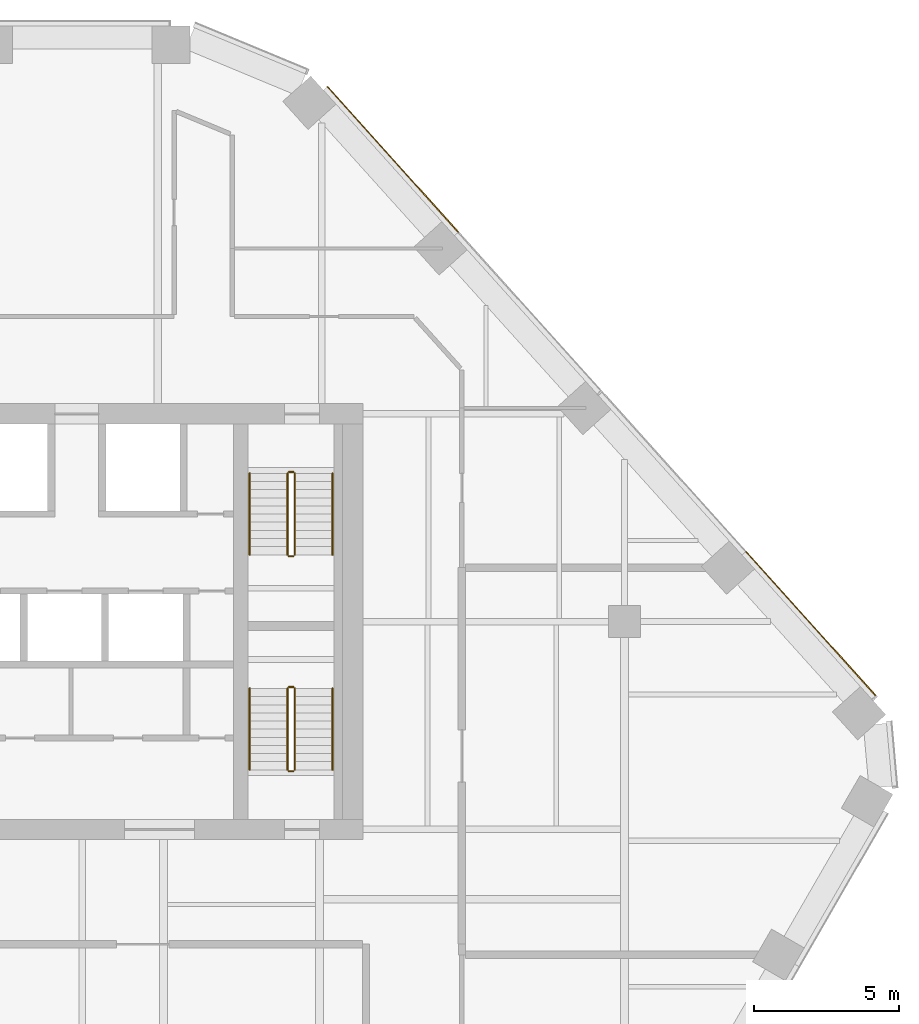
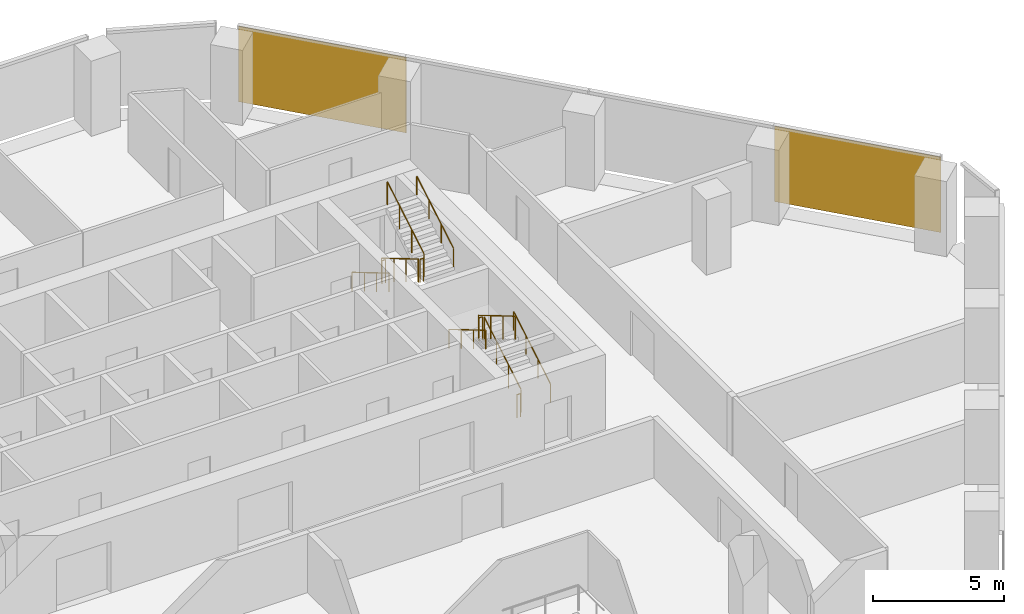
# One storey, part 16 of 16: 12 railings, 2 coverings, 1 element without a shape of its own.
"""IFC4 building model written with IfcOpenShell, lengths in metres."""

from ifc_helpers import new_model, si_unit, direction, frame, origin, origin_2d, place, context, subcontext, project, spatial, rectangle, circle, extrude, material, layer, layer_set, type_object, element, aggregate, save


model = new_model("IFC4")

# Units and contexts
model_context = context("Model", 3, precision=1e-05, world=origin(), true_north=direction((0.0, 1.0)))
body_context = subcontext(model_context, "Body", "Model", "MODEL_VIEW")
ifc_project = project(units=[si_unit("LENGTHUNIT", "METRE"), si_unit("AREAUNIT", "SQUARE_METRE"), si_unit("VOLUMEUNIT", "CUBIC_METRE"), si_unit("PLANEANGLEUNIT", "RADIAN"), si_unit("MASSUNIT", "GRAM", prefix="KILO")], contexts=[model_context])

# Site, building, storey
site_placement = place(None, origin())
site = spatial("IfcSite", under=ifc_project, at=site_placement, CompositionType="ELEMENT")
building_placement = place(site_placement, origin())
building = spatial("IfcBuilding", under=site, at=building_placement, Name="Isthmus Gate Tower", CompositionType="ELEMENT")
storey_placement = place(building_placement, frame((0.0, 0.0, 196.35009765625)))
storey = spatial("IfcBuildingStorey", under=building, at=storey_placement, Name="L49", CompositionType="ELEMENT", Elevation=196.35009765625)

# Curtain wall, coverings
ifc_material_1 = material(Name="Aluminium, pale champagne anodised", Category="aluminium")
ifc_layer_1 = layer(ifc_material_1, 0.199951171875)
ifc_layer_set_1 = layer_set([ifc_layer_1], Name="CW-1 UNITISED CURTAIN WALL 200 DEEP")
curtain_wall_type = type_object("IfcCurtainWallType", Name="CW-1 UNITISED CURTAIN WALL 200 DEEP", PredefinedType="NOTDEFINED", material=ifc_layer_set_1)
curtain_wall_placement = place(storey_placement, origin())
curtain_wall = element("IfcCurtainWall", 1, at=curtain_wall_placement, inside=storey, type_object=curtain_wall_type, Name="CW-1 NE L49", PredefinedType="NOTDEFINED")
ifc_material_2 = material(Name="Aluminium composite panel, pale champagne anodised", Category="aluminium")
ifc_layer_2 = layer(ifc_material_2, 0.035888671875)
ifc_layer_set_2 = layer_set([ifc_layer_2], Name="CW-1 PALE METAL PANEL 36")
covering_type = type_object("IfcCoveringType", Name="CW-1 PALE METAL PANEL 36", PredefinedType="CLADDING", material=ifc_layer_set_2)
covering_1_placement = place(storey_placement, frame((30.408447265625, 7.430908203125, 0.0), z_axis=(0.0, 0.0, 1.0), x_axis=(-0.669130606359, 0.743144825477, 0.0)))
covering_1 = element("IfcCovering", 2, at=covering_1_placement, type_object=covering_type, Name="CW-1 pale metal panel", PredefinedType="CLADDING", context=body_context, shape_type="SweptSolid", body=[
    extrude(rectangle(XDim=6.680908203125, YDim=0.035888671875, at=origin_2d()), origin(), (0.0, 0.0, 1.0), 3.510009765625),
])
covering_2_placement = place(storey_placement, frame((16.02734375, 23.40283203125, 0.0), z_axis=(0.0, 0.0, 1.0), x_axis=(-0.669130606359, 0.743144825477, 0.0)))
covering_2 = element("IfcCovering", 3, at=covering_2_placement, type_object=covering_type, Name="CW-1 pale metal panel", PredefinedType="CLADDING", context=body_context, shape_type="SweptSolid", body=[
    extrude(rectangle(XDim=6.74072265625, YDim=0.035888671875, at=origin_2d()), origin(), (0.0, 0.0, 1.0), 3.510009765625),
])
aggregate(curtain_wall, [covering_1, covering_2])

# Railings
ifc_material_3 = material(Name="Stainless steel balustrade", Category="steel")
railing_type_1 = type_object("IfcRailingType", Name="STAIR GUARD 1100", PredefinedType="GUARDRAIL", material=ifc_material_3)
railing_1_placement = place(storey_placement, frame((12.39990234375, 12.60009765625, 0.165771484375)))
element("IfcRailing", 4, at=railing_1_placement, inside=storey, type_object=railing_type_1, Name="L49 ST2 stair guard 1", PredefinedType="GUARDRAIL", context=body_context, shape_type="SweptSolid", body=[
    extrude(circle(Radius=0.02392578125, at=origin_2d()), frame((0.0, 0.0, 1.076171875), z_axis=(0.0, -0.860306154799, 0.50977771628), x_axis=(1.0, 0.0, 0.0)), (0.0, 0.0, 1.0), 3.254638671875),
    extrude(circle(Radius=0.02099609375, at=origin_2d()), origin(), (0.0, 0.0, 1.0), 1.052001953125),
    extrude(circle(Radius=0.02099609375, at=origin_2d()), frame((0.0, -0.933349609375, 0.552978515625)), (0.0, 0.0, 1.0), 1.052001953125),
    extrude(circle(Radius=0.02099609375, at=origin_2d()), frame((0.0, -1.86669921875, 1.106201171875)), (0.0, 0.0, 1.0), 1.052001953125),
    extrude(circle(Radius=0.02099609375, at=origin_2d()), frame((0.0, -2.800048828125, 1.6591796875)), (0.0, 0.0, 1.0), 1.052001953125),
])
railing_2_placement = place(storey_placement, frame((12.449951171875, 9.75, 1.824951171875)))
element("IfcRailing", 5, at=railing_2_placement, inside=storey, type_object=railing_type_1, Name="L49 ST2 stair guard 2", PredefinedType="GUARDRAIL", context=body_context, shape_type="SweptSolid", body=[
    extrude(circle(Radius=0.02392578125, at=origin_2d()), frame((0.0, 0.0, 1.076171875), z_axis=(1.0, 0.0, 0.0), x_axis=(0.0, 1.0, 0.0)), (0.0, 0.0, 1.0), 0.150146484375),
    extrude(circle(Radius=0.02099609375, at=origin_2d()), origin(), (0.0, 0.0, 1.0), 1.052001953125),
    extrude(circle(Radius=0.02099609375, at=origin_2d()), frame((0.150146484375, 0.0, 0.0)), (0.0, 0.0, 1.0), 1.052001953125),
])
railing_3_placement = place(storey_placement, frame((12.64990234375, 9.800048828125, 1.99072265625)))
element("IfcRailing", 6, at=railing_3_placement, inside=storey, type_object=railing_type_1, Name="L49 ST2 stair guard 3", PredefinedType="GUARDRAIL", context=body_context, shape_type="SweptSolid", body=[
    extrude(circle(Radius=0.02392578125, at=origin_2d()), frame((0.0, 0.0, 1.076171875), z_axis=(0.0, 0.860306154799, 0.50977771628), x_axis=(-1.0, 0.0, 0.0)), (0.0, 0.0, 1.0), 3.254638671875),
    extrude(circle(Radius=0.02099609375, at=origin_2d()), origin(), (0.0, 0.0, 1.0), 1.052001953125),
    extrude(circle(Radius=0.02099609375, at=origin_2d()), frame((0.0, 0.933349609375, 0.552978515625)), (0.0, 0.0, 1.0), 1.052001953125),
    extrude(circle(Radius=0.02099609375, at=origin_2d()), frame((0.0, 1.86669921875, 1.106201171875)), (0.0, 0.0, 1.0), 1.052001953125),
    extrude(circle(Radius=0.02099609375, at=origin_2d()), frame((0.0, 2.800048828125, 1.6591796875)), (0.0, 0.0, 1.0), 1.052001953125),
])
railing_4_placement = place(storey_placement, frame((12.449951171875, 12.64990234375, 0.0)))
element("IfcRailing", 7, at=railing_4_placement, inside=storey, type_object=railing_type_1, Name="L49 ST2 stair guard 4", PredefinedType="GUARDRAIL", context=body_context, shape_type="SweptSolid", body=[
    extrude(circle(Radius=0.02392578125, at=origin_2d()), frame((0.0, 0.0, 1.076171875), z_axis=(1.0, 0.0, 0.0), x_axis=(0.0, 1.0, 0.0)), (0.0, 0.0, 1.0), 0.150146484375),
    extrude(circle(Radius=0.02099609375, at=origin_2d()), origin(), (0.0, 0.0, 1.0), 1.052001953125),
    extrude(circle(Radius=0.02099609375, at=origin_2d()), frame((0.150146484375, 0.0, 0.0)), (0.0, 0.0, 1.0), 1.052001953125),
])
railing_5_placement = place(storey_placement, frame((12.64990234375, 2.39990234375, 0.165771484375)))
element("IfcRailing", 8, at=railing_5_placement, inside=storey, type_object=railing_type_1, Name="L49 ST8 stair guard 1", PredefinedType="GUARDRAIL", context=body_context, shape_type="SweptSolid", body=[
    extrude(circle(Radius=0.02392578125, at=origin_2d()), frame((0.0, 0.0, 1.076171875), z_axis=(0.0, 0.860306154799, 0.50977771628), x_axis=(-1.0, 0.0, 0.0)), (0.0, 0.0, 1.0), 3.254638671875),
    extrude(circle(Radius=0.02099609375, at=origin_2d()), origin(), (0.0, 0.0, 1.0), 1.052001953125),
    extrude(circle(Radius=0.02099609375, at=origin_2d()), frame((0.0, 0.933349609375, 0.552978515625)), (0.0, 0.0, 1.0), 1.052001953125),
    extrude(circle(Radius=0.02099609375, at=origin_2d()), frame((0.0, 1.86669921875, 1.106201171875)), (0.0, 0.0, 1.0), 1.052001953125),
    extrude(circle(Radius=0.02099609375, at=origin_2d()), frame((0.0, 2.800048828125, 1.6591796875)), (0.0, 0.0, 1.0), 1.052001953125),
])
railing_6_placement = place(storey_placement, frame((12.60009765625, 5.25, 1.824951171875)))
element("IfcRailing", 9, at=railing_6_placement, inside=storey, type_object=railing_type_1, Name="L49 ST8 stair guard 2", PredefinedType="GUARDRAIL", context=body_context, shape_type="SweptSolid", body=[
    extrude(circle(Radius=0.02392578125, at=origin_2d()), frame((0.0, 0.0, 1.076171875), z_axis=(-1.0, 0.0, 0.0), x_axis=(0.0, -1.0, 0.0)), (0.0, 0.0, 1.0), 0.150146484375),
    extrude(circle(Radius=0.02099609375, at=origin_2d()), origin(), (0.0, 0.0, 1.0), 1.052001953125),
    extrude(circle(Radius=0.02099609375, at=origin_2d()), frame((-0.150146484375, 0.0, 0.0)), (0.0, 0.0, 1.0), 1.052001953125),
])
railing_7_placement = place(storey_placement, frame((12.39990234375, 5.199951171875, 1.99072265625)))
element("IfcRailing", 10, at=railing_7_placement, inside=storey, type_object=railing_type_1, Name="L49 ST8 stair guard 3", PredefinedType="GUARDRAIL", context=body_context, shape_type="SweptSolid", body=[
    extrude(circle(Radius=0.02392578125, at=origin_2d()), frame((0.0, 0.0, 1.076171875), z_axis=(0.0, -0.860306154799, 0.50977771628), x_axis=(1.0, 0.0, 0.0)), (0.0, 0.0, 1.0), 3.254638671875),
    extrude(circle(Radius=0.02099609375, at=origin_2d()), origin(), (0.0, 0.0, 1.0), 1.052001953125),
    extrude(circle(Radius=0.02099609375, at=origin_2d()), frame((0.0, -0.933349609375, 0.552978515625)), (0.0, 0.0, 1.0), 1.052001953125),
    extrude(circle(Radius=0.02099609375, at=origin_2d()), frame((0.0, -1.86669921875, 1.106201171875)), (0.0, 0.0, 1.0), 1.052001953125),
    extrude(circle(Radius=0.02099609375, at=origin_2d()), frame((0.0, -2.800048828125, 1.6591796875)), (0.0, 0.0, 1.0), 1.052001953125),
])
railing_8_placement = place(storey_placement, frame((12.60009765625, 2.35009765625, 0.0)))
element("IfcRailing", 11, at=railing_8_placement, inside=storey, type_object=railing_type_1, Name="L49 ST8 stair guard 4", PredefinedType="GUARDRAIL", context=body_context, shape_type="SweptSolid", body=[
    extrude(circle(Radius=0.02392578125, at=origin_2d()), frame((0.0, 0.0, 1.076171875), z_axis=(-1.0, 0.0, 0.0), x_axis=(0.0, -1.0, 0.0)), (0.0, 0.0, 1.0), 0.150146484375),
    extrude(circle(Radius=0.02099609375, at=origin_2d()), origin(), (0.0, 0.0, 1.0), 1.052001953125),
    extrude(circle(Radius=0.02099609375, at=origin_2d()), frame((-0.150146484375, 0.0, 0.0)), (0.0, 0.0, 1.0), 1.052001953125),
])
ifc_material_4 = material(Name="Stainless steel handrail", Category="steel")
railing_type_2 = type_object("IfcRailingType", Name="STAIR HANDRAIL 900", PredefinedType="HANDRAIL", material=ifc_material_4)
railing_9_placement = place(storey_placement, frame((11.10009765625, 12.60009765625, 0.165771484375)))
element("IfcRailing", 12, at=railing_9_placement, inside=storey, type_object=railing_type_2, Name="L49 ST2 stair handrail 1", PredefinedType="HANDRAIL", context=body_context, shape_type="SweptSolid", body=[
    extrude(circle(Radius=0.02392578125, at=origin_2d()), frame((0.0, 0.0, 0.8759765625), z_axis=(0.0, -0.860306154799, 0.50977771628), x_axis=(1.0, 0.0, 0.0)), (0.0, 0.0, 1.0), 3.254638671875),
    extrude(circle(Radius=0.02099609375, at=origin_2d()), origin(), (0.0, 0.0, 1.0), 0.851806640625),
    extrude(circle(Radius=0.02099609375, at=origin_2d()), frame((0.0, -0.933349609375, 0.552978515625)), (0.0, 0.0, 1.0), 0.851806640625),
    extrude(circle(Radius=0.02099609375, at=origin_2d()), frame((0.0, -1.86669921875, 1.106201171875)), (0.0, 0.0, 1.0), 0.851806640625),
    extrude(circle(Radius=0.02099609375, at=origin_2d()), frame((0.0, -2.800048828125, 1.6591796875)), (0.0, 0.0, 1.0), 0.851806640625),
])
for number, where, name in (
    (13, (13.949951171875, 9.800048828125, 1.99072265625), "L49 ST2 stair handrail 2"),
    (14, (13.949951171875, 2.39990234375, 0.165771484375), "L49 ST8 stair handrail 1"),
):
    element("IfcRailing", number, at=place(storey_placement, frame(where)), inside=storey, type_object=railing_type_2, Name=name, PredefinedType="HANDRAIL", context=body_context, shape_type="SweptSolid", body=[
        extrude(circle(Radius=0.02392578125, at=origin_2d()), frame((0.0, 0.0, 0.8759765625), z_axis=(0.0, 0.860306154799, 0.50977771628), x_axis=(-1.0, 0.0, 0.0)), (0.0, 0.0, 1.0), 3.254638671875),
        extrude(circle(Radius=0.02099609375, at=origin_2d()), origin(), (0.0, 0.0, 1.0), 0.851806640625),
        extrude(circle(Radius=0.02099609375, at=origin_2d()), frame((0.0, 0.933349609375, 0.552978515625)), (0.0, 0.0, 1.0), 0.851806640625),
        extrude(circle(Radius=0.02099609375, at=origin_2d()), frame((0.0, 1.86669921875, 1.106201171875)), (0.0, 0.0, 1.0), 0.851806640625),
        extrude(circle(Radius=0.02099609375, at=origin_2d()), frame((0.0, 2.800048828125, 1.6591796875)), (0.0, 0.0, 1.0), 0.851806640625),
    ])
railing_10_placement = place(storey_placement, frame((11.10009765625, 5.199951171875, 1.99072265625)))
element("IfcRailing", 15, at=railing_10_placement, inside=storey, type_object=railing_type_2, Name="L49 ST8 stair handrail 2", PredefinedType="HANDRAIL", context=body_context, shape_type="SweptSolid", body=[
    extrude(circle(Radius=0.02392578125, at=origin_2d()), frame((0.0, 0.0, 0.8759765625), z_axis=(0.0, -0.860306154799, 0.50977771628), x_axis=(1.0, 0.0, 0.0)), (0.0, 0.0, 1.0), 3.254638671875),
    extrude(circle(Radius=0.02099609375, at=origin_2d()), origin(), (0.0, 0.0, 1.0), 0.851806640625),
    extrude(circle(Radius=0.02099609375, at=origin_2d()), frame((0.0, -0.933349609375, 0.552978515625)), (0.0, 0.0, 1.0), 0.851806640625),
    extrude(circle(Radius=0.02099609375, at=origin_2d()), frame((0.0, -1.86669921875, 1.106201171875)), (0.0, 0.0, 1.0), 0.851806640625),
    extrude(circle(Radius=0.02099609375, at=origin_2d()), frame((0.0, -2.800048828125, 1.6591796875)), (0.0, 0.0, 1.0), 0.851806640625),
])

save(model, "model.ifc")
